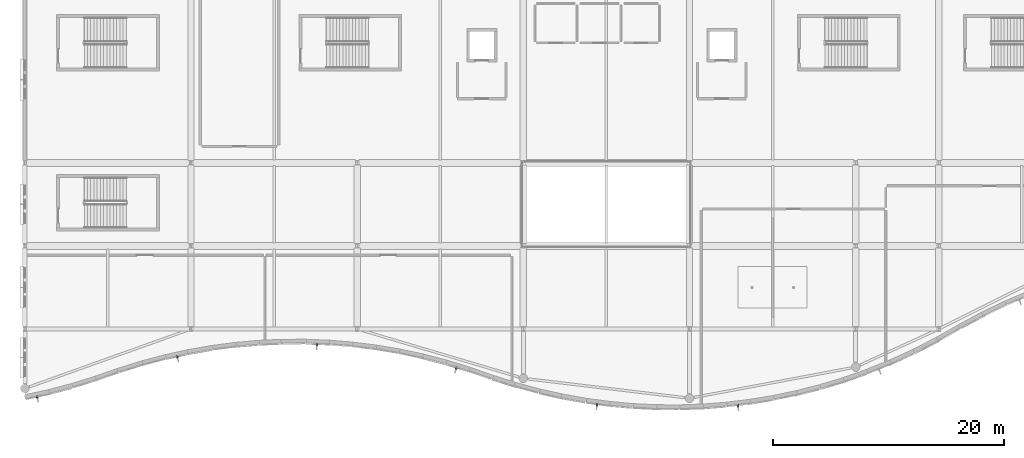
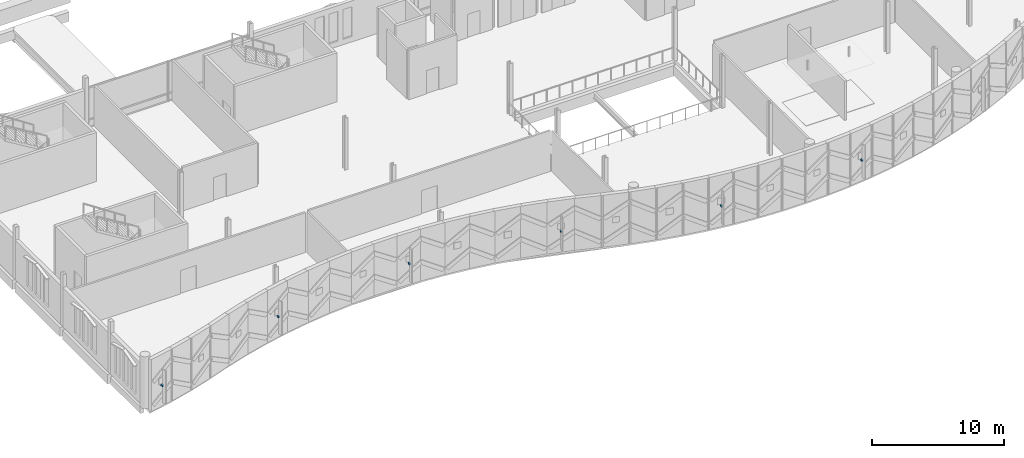
# One storey, part 153 of 193: 6 discrete accessories.
"""IFC4 building model written with IfcOpenShell, lengths in metres."""

from ifc_helpers import new_model, si_unit, direction, frame, origin, origin_2d, place, context, subcontext, project, spatial, rectangle, extrude, material, type_object, element, save


model = new_model("IFC4")

# Units and contexts
model_context = context("Model", 3, precision=1e-05, world=origin(), true_north=direction((0.0, 1.0)))
body_context = subcontext(model_context, "Body", "Model", "MODEL_VIEW")
ifc_project = project(units=[si_unit("LENGTHUNIT", "METRE"), si_unit("AREAUNIT", "SQUARE_METRE"), si_unit("VOLUMEUNIT", "CUBIC_METRE"), si_unit("PLANEANGLEUNIT", "RADIAN"), si_unit("MASSUNIT", "GRAM", prefix="KILO")], contexts=[model_context])

# Site, building, storey
site_placement = place(None, origin())
site = spatial("IfcSite", under=ifc_project, at=site_placement, CompositionType="ELEMENT")
building_placement = place(site_placement, origin())
building = spatial("IfcBuilding", under=site, at=building_placement, Name="Cendralis Lancet Convention Centre", CompositionType="ELEMENT")
storey_placement = place(building_placement, frame((0.0, 0.0, 10.199951171875)))
storey = spatial("IfcBuildingStorey", under=building, at=storey_placement, Name="L02", CompositionType="ELEMENT", Elevation=10.199951171875)

# Discrete accessories
ifc_material = material(Name="Steel S355", Category="steel")
discrete_accessory_type = type_object("IfcDiscreteAccessoryType", Name="ARC-BRK-FIN", PredefinedType="BRACKET", material=ifc_material)
for number, where, z_axis, x_axis, name in (
    (1, (1.0673828125, 1.289794921875, 1.93017578125), (0.0, 0.0, 1.0), (0.977397448997, 0.211410091278, 0.0), "Facade Fin Bracket BK-FIN #002"),
    (2, (13.2197265625, 4.7666015625, 1.93017578125), (0.0, 0.0, 1.0), (0.976717230975, 0.214530768695, 0.0), "Facade Fin Bracket BK-FIN #004"),
    (3, (25.305419921875, 5.84375, 1.93017578125), (0.0, 0.0, 1.0), (0.999239960688, -0.038980776845, 0.0), "Facade Fin Bracket BK-FIN #006"),
    (4, (37.390625, 3.80029296875, 1.93017578125), (0.0, 0.0, 1.0), (0.95645261608, -0.29188763796, 0.0), "Facade Fin Bracket BK-FIN #008"),
    (5, (49.583740234375, 0.6357421875, 1.93017578125), (0.0, 0.0, 1.0), (0.991034573663, -0.133605665318, 0.0), "Facade Fin Bracket BK-FIN #010"),
    (6, (61.800537109375, 0.544921875, 1.93017578125), (0.0, 0.0, 1.0), (0.992818021481, 0.119634343823, 0.0), "Facade Fin Bracket BK-FIN #012"),
):
    element("IfcDiscreteAccessory", number, at=place(storey_placement, frame(where, z_axis=z_axis, x_axis=x_axis)), inside=storey, type_object=discrete_accessory_type, Name=name, PredefinedType="BRACKET", context=body_context, shape_type="SweptSolid", body=[
        extrude(rectangle(XDim=0.139892578125, YDim=0.219970703125, at=origin_2d()), origin(), (0.0, 0.0, 1.0), 0.139892578125),
    ])

save(model, "model.ifc")
